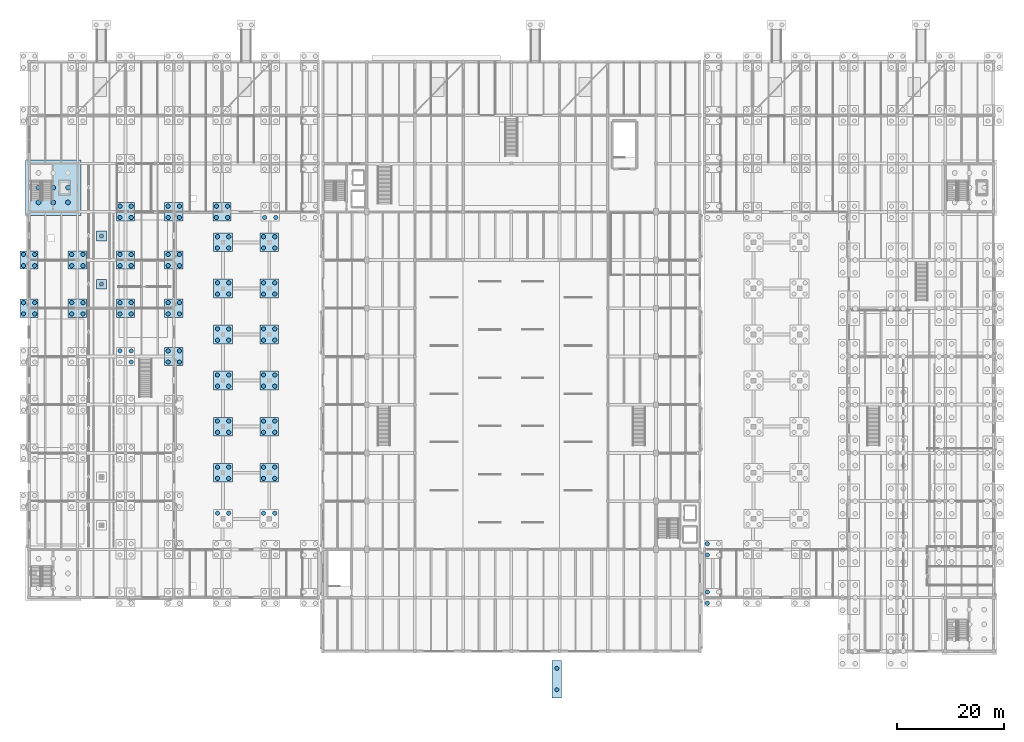
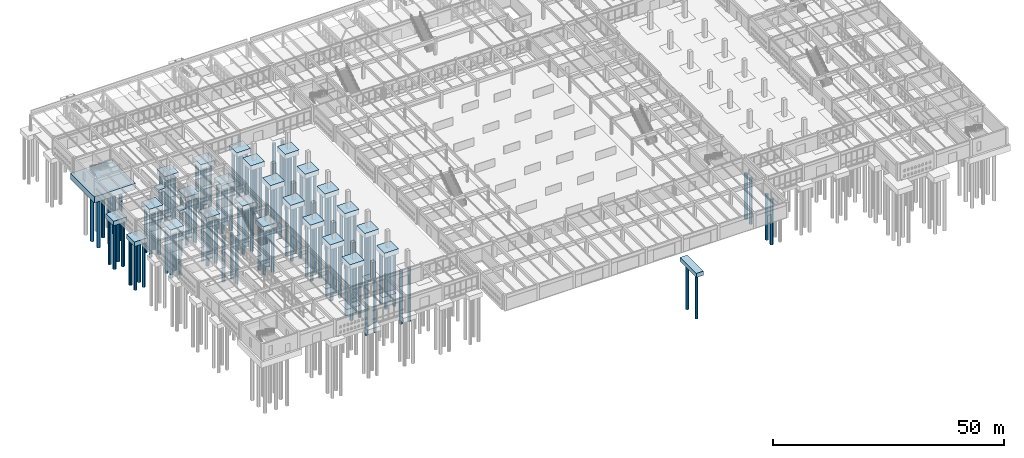
# One storey, part 2 of 186: 119 piles, 28 footings.
"""IFC4 building model written with IfcOpenShell, lengths in metres."""

from ifc_helpers import new_model, si_unit, direction, frame, origin, origin_2d, place, context, subcontext, project, spatial, polyline, circle, outline, extrude, material, layer, layer_set, material_profile, profile_set, type_object, element, save


model = new_model("IFC4")

# Units and contexts
model_context = context("Model", 3, precision=1e-05, world=origin(), true_north=direction((0.0, 1.0)))
body_context = subcontext(model_context, "Body", "Model", "MODEL_VIEW")
ifc_project = project(units=[si_unit("LENGTHUNIT", "METRE"), si_unit("AREAUNIT", "SQUARE_METRE"), si_unit("VOLUMEUNIT", "CUBIC_METRE"), si_unit("PLANEANGLEUNIT", "RADIAN"), si_unit("MASSUNIT", "GRAM", prefix="KILO")], contexts=[model_context])

# Site, building, storey
site_placement = place(None, origin())
site = spatial("IfcSite", under=ifc_project, at=site_placement, CompositionType="ELEMENT")
building_placement = place(site_placement, origin())
building = spatial("IfcBuilding", under=site, at=building_placement, Name="Ornek Quay Market", CompositionType="ELEMENT")
storey_placement = place(building_placement, origin())
storey = spatial("IfcBuildingStorey", under=building, at=storey_placement, Name="L00", CompositionType="ELEMENT", Elevation=0.0)

# Footings
ifc_material = material(Name="Concrete C35/45", Category="concrete")
ifc_layer_1 = layer(ifc_material, 1.60009765625, Name="Concrete C35/45", Category="concrete")
ifc_layer_set_1 = layer_set([ifc_layer_1], Name="Concrete C35/45")
footing_type_1 = type_object("IfcFootingType", Name="FT-CORE-7600x6600x1600", PredefinedType="PILE_CAP", material=ifc_layer_set_1)
footing_1_placement = place(storey_placement, frame((0.0, 0.0, -1.60009765625)))
element("IfcFooting", 1, at=footing_1_placement, inside=storey, type_object=footing_type_1, Name="Pile cap FC-001", PredefinedType="PILE_CAP", context=body_context, shape_type="SweptSolid", body=[
    extrude(outline(polyline([(-0.64990234375, 91.35009765625), (9.64990234375, 91.35009765625), (9.64990234375, 101.64990234375), (-0.64990234375, 101.64990234375), (-0.64990234375, 91.35009765625)])), origin(), (0.0, 0.0, 1.0), 1.60009765625),
])
ifc_layer_2 = layer(ifc_material, 0.75, Name="Concrete C35/45", Category="concrete")
ifc_layer_set_2 = layer_set([ifc_layer_2], Name="Concrete C35/45")
footing_type_2 = type_object("IfcFootingType", Name="FT-PAD-1800x1800x750", PredefinedType="PAD_FOOTING", material=ifc_layer_set_2)
footing_2_placement = place(storey_placement, frame((0.0, 0.0, -0.75)))
element("IfcFooting", 2, at=footing_2_placement, inside=storey, type_object=footing_type_2, Name="Pad footing PF-06", PredefinedType="PAD_FOOTING", context=body_context, shape_type="SweptSolid", body=[
    extrude(outline(polyline([(12.60009765625, 77.60009765625), (14.39990234375, 77.60009765625), (14.39990234375, 79.39990234375), (12.60009765625, 79.39990234375), (12.60009765625, 77.60009765625)])), origin(), (0.0, 0.0, 1.0), 0.75),
])
footing_3_placement = place(storey_placement, frame((0.0, 0.0, -0.75)))
element("IfcFooting", 3, at=footing_3_placement, inside=storey, type_object=footing_type_2, Name="Pad footing PF-08", PredefinedType="PAD_FOOTING", context=body_context, shape_type="SweptSolid", body=[
    extrude(outline(polyline([(12.60009765625, 86.60009765625), (14.39990234375, 86.60009765625), (14.39990234375, 88.39990234375), (12.60009765625, 88.39990234375), (12.60009765625, 86.60009765625)])), origin(), (0.0, 0.0, 1.0), 0.75),
])
ifc_layer_3 = layer(ifc_material, 1.10009765625, Name="Concrete C35/45", Category="concrete")
ifc_layer_set_3 = layer_set([ifc_layer_3], Name="Concrete C35/45")
footing_type_3 = type_object("IfcFootingType", Name="FT-PC2-1800x7000x1100", PredefinedType="PILE_CAP", material=ifc_layer_set_3)
footing_4_placement = place(storey_placement, frame((0.0, 0.0, -1.10009765625)))
element("IfcFooting", 4, at=footing_4_placement, inside=storey, type_object=footing_type_3, Name="Ramp abutment cap PRF-07", PredefinedType="PILE_CAP", context=body_context, shape_type="SweptSolid", body=[
    extrude(outline(polyline([(97.60009765625, 1.300048828125), (99.39990234375, 1.300048828125), (99.39990234375, 8.300048828125), (97.60009765625, 8.300048828125), (97.60009765625, 1.300048828125)])), origin(), (0.0, 0.0, 1.0), 1.10009765625),
])
ifc_layer_4 = layer(ifc_material, 1.199951171875, Name="Concrete C35/45", Category="concrete")
ifc_layer_set_4 = layer_set([ifc_layer_4], Name="Concrete C35/45")
footing_type_4 = type_object("IfcFootingType", Name="FT-PC4-2800x2800x1200", PredefinedType="PILE_CAP", material=ifc_layer_set_4)
footing_5_placement = place(storey_placement, frame((0.0, 0.0, -1.199951171875)))
element("IfcFooting", 5, at=footing_5_placement, inside=storey, type_object=footing_type_4, Name="Pile cap FC-011", PredefinedType="PILE_CAP", context=body_context, shape_type="SweptSolid", body=[
    extrude(outline(polyline([(-1.699951171875, 72.300048828125), (1.699951171875, 72.300048828125), (1.699951171875, 75.699951171875), (-1.699951171875, 75.699951171875), (-1.699951171875, 72.300048828125)])), origin(), (0.0, 0.0, 1.0), 1.199951171875),
])
footing_6_placement = place(storey_placement, frame((0.0, 0.0, -1.199951171875)))
element("IfcFooting", 6, at=footing_6_placement, inside=storey, type_object=footing_type_4, Name="Pile cap FC-012", PredefinedType="PILE_CAP", context=body_context, shape_type="SweptSolid", body=[
    extrude(outline(polyline([(-1.699951171875, 81.300048828125), (1.699951171875, 81.300048828125), (1.699951171875, 84.699951171875), (-1.699951171875, 84.699951171875), (-1.699951171875, 81.300048828125)])), origin(), (0.0, 0.0, 1.0), 1.199951171875),
])
footing_7_placement = place(storey_placement, frame((0.0, 0.0, -1.199951171875)))
element("IfcFooting", 7, at=footing_7_placement, inside=storey, type_object=footing_type_4, Name="Pile cap FC-019", PredefinedType="PILE_CAP", context=body_context, shape_type="SweptSolid", body=[
    extrude(outline(polyline([(7.300048828125, 72.300048828125), (10.699951171875, 72.300048828125), (10.699951171875, 75.699951171875), (7.300048828125, 75.699951171875), (7.300048828125, 72.300048828125)])), origin(), (0.0, 0.0, 1.0), 1.199951171875),
])
footing_8_placement = place(storey_placement, frame((0.0, 0.0, -1.199951171875)))
element("IfcFooting", 8, at=footing_8_placement, inside=storey, type_object=footing_type_4, Name="Pile cap FC-020", PredefinedType="PILE_CAP", context=body_context, shape_type="SweptSolid", body=[
    extrude(outline(polyline([(7.300048828125, 81.300048828125), (10.699951171875, 81.300048828125), (10.699951171875, 84.699951171875), (7.300048828125, 84.699951171875), (7.300048828125, 81.300048828125)])), origin(), (0.0, 0.0, 1.0), 1.199951171875),
])
footing_9_placement = place(storey_placement, frame((0.0, 0.0, -1.199951171875)))
element("IfcFooting", 9, at=footing_9_placement, inside=storey, type_object=footing_type_4, Name="Pile cap FC-029", PredefinedType="PILE_CAP", context=body_context, shape_type="SweptSolid", body=[
    extrude(outline(polyline([(16.300048828125, 72.300048828125), (19.699951171875, 72.300048828125), (19.699951171875, 75.699951171875), (16.300048828125, 75.699951171875), (16.300048828125, 72.300048828125)])), origin(), (0.0, 0.0, 1.0), 1.199951171875),
])
footing_10_placement = place(storey_placement, frame((0.0, 0.0, -1.199951171875)))
element("IfcFooting", 10, at=footing_10_placement, inside=storey, type_object=footing_type_4, Name="Pile cap FC-030", PredefinedType="PILE_CAP", context=body_context, shape_type="SweptSolid", body=[
    extrude(outline(polyline([(16.300048828125, 81.300048828125), (19.699951171875, 81.300048828125), (19.699951171875, 84.699951171875), (16.300048828125, 84.699951171875), (16.300048828125, 81.300048828125)])), origin(), (0.0, 0.0, 1.0), 1.199951171875),
])
footing_11_placement = place(storey_placement, frame((0.0, 0.0, -1.199951171875)))
element("IfcFooting", 11, at=footing_11_placement, inside=storey, type_object=footing_type_4, Name="Pile cap FC-031", PredefinedType="PILE_CAP", context=body_context, shape_type="SweptSolid", body=[
    extrude(outline(polyline([(16.300048828125, 90.300048828125), (19.699951171875, 90.300048828125), (19.699951171875, 93.699951171875), (16.300048828125, 93.699951171875), (16.300048828125, 90.300048828125)])), origin(), (0.0, 0.0, 1.0), 1.199951171875),
])
footing_12_placement = place(storey_placement, frame((0.0, 0.0, -1.199951171875)))
element("IfcFooting", 12, at=footing_12_placement, inside=storey, type_object=footing_type_4, Name="Pile cap FC-040", PredefinedType="PILE_CAP", context=body_context, shape_type="SweptSolid", body=[
    extrude(outline(polyline([(25.300048828125, 63.300048828125), (28.699951171875, 63.300048828125), (28.699951171875, 66.699951171875), (25.300048828125, 66.699951171875), (25.300048828125, 63.300048828125)])), origin(), (0.0, 0.0, 1.0), 1.199951171875),
])
footing_13_placement = place(storey_placement, frame((0.0, 0.0, -1.199951171875)))
element("IfcFooting", 13, at=footing_13_placement, inside=storey, type_object=footing_type_4, Name="Pile cap FC-041", PredefinedType="PILE_CAP", context=body_context, shape_type="SweptSolid", body=[
    extrude(outline(polyline([(25.300048828125, 72.300048828125), (28.699951171875, 72.300048828125), (28.699951171875, 75.699951171875), (25.300048828125, 75.699951171875), (25.300048828125, 72.300048828125)])), origin(), (0.0, 0.0, 1.0), 1.199951171875),
])
footing_14_placement = place(storey_placement, frame((0.0, 0.0, -1.199951171875)))
element("IfcFooting", 14, at=footing_14_placement, inside=storey, type_object=footing_type_4, Name="Pile cap FC-042", PredefinedType="PILE_CAP", context=body_context, shape_type="SweptSolid", body=[
    extrude(outline(polyline([(25.300048828125, 81.300048828125), (28.699951171875, 81.300048828125), (28.699951171875, 84.699951171875), (25.300048828125, 84.699951171875), (25.300048828125, 81.300048828125)])), origin(), (0.0, 0.0, 1.0), 1.199951171875),
])
footing_15_placement = place(storey_placement, frame((0.0, 0.0, -1.199951171875)))
element("IfcFooting", 15, at=footing_15_placement, inside=storey, type_object=footing_type_4, Name="Pile cap FC-043", PredefinedType="PILE_CAP", context=body_context, shape_type="SweptSolid", body=[
    extrude(outline(polyline([(25.300048828125, 90.300048828125), (28.699951171875, 90.300048828125), (28.699951171875, 93.699951171875), (25.300048828125, 93.699951171875), (25.300048828125, 90.300048828125)])), origin(), (0.0, 0.0, 1.0), 1.199951171875),
])
footing_16_placement = place(storey_placement, frame((0.0, 0.0, -1.199951171875)))
element("IfcFooting", 16, at=footing_16_placement, inside=storey, type_object=footing_type_4, Name="Pile cap FC-049", PredefinedType="PILE_CAP", context=body_context, shape_type="SweptSolid", body=[
    extrude(outline(polyline([(34.300048828125, 90.300048828125), (37.699951171875, 90.300048828125), (37.699951171875, 93.699951171875), (34.300048828125, 93.699951171875), (34.300048828125, 90.300048828125)])), origin(), (0.0, 0.0, 1.0), 1.199951171875),
])
ifc_layer_5 = layer(ifc_material, 1.300048828125, Name="Concrete C35/45", Category="concrete")
ifc_layer_set_5 = layer_set([ifc_layer_5], Name="Concrete C35/45")
footing_type_5 = type_object("IfcFootingType", Name="FT-PC4-3000x3000x1300", PredefinedType="PILE_CAP", material=ifc_layer_set_5)
footing_17_placement = place(storey_placement, frame((0.0, 0.0, -1.300048828125)))
element("IfcFooting", 17, at=footing_17_placement, inside=storey, type_object=footing_type_5, Name="Pile cap FC-237", PredefinedType="PILE_CAP", context=body_context, shape_type="SweptSolid", body=[
    extrude(outline(polyline([(34.449951171875, 41.550048828125), (37.949951171875, 41.550048828125), (37.949951171875, 45.050048828125), (34.449951171875, 45.050048828125), (34.449951171875, 41.550048828125)])), origin(), (0.0, 0.0, 1.0), 1.300048828125),
])
footing_18_placement = place(storey_placement, frame((0.0, 0.0, -1.300048828125)))
element("IfcFooting", 18, at=footing_18_placement, inside=storey, type_object=footing_type_5, Name="Pile cap FC-238", PredefinedType="PILE_CAP", context=body_context, shape_type="SweptSolid", body=[
    extrude(outline(polyline([(34.449951171875, 50.14990234375), (37.949951171875, 50.14990234375), (37.949951171875, 53.64990234375), (34.449951171875, 53.64990234375), (34.449951171875, 50.14990234375)])), origin(), (0.0, 0.0, 1.0), 1.300048828125),
])
footing_19_placement = place(storey_placement, frame((0.0, 0.0, -1.300048828125)))
element("IfcFooting", 19, at=footing_19_placement, inside=storey, type_object=footing_type_5, Name="Pile cap FC-239", PredefinedType="PILE_CAP", context=body_context, shape_type="SweptSolid", body=[
    extrude(outline(polyline([(34.449951171875, 58.75), (37.949951171875, 58.75), (37.949951171875, 62.25), (34.449951171875, 62.25), (34.449951171875, 58.75)])), origin(), (0.0, 0.0, 1.0), 1.300048828125),
])
footing_20_placement = place(storey_placement, frame((0.0, 0.0, -1.300048828125)))
element("IfcFooting", 20, at=footing_20_placement, inside=storey, type_object=footing_type_5, Name="Pile cap FC-240", PredefinedType="PILE_CAP", context=body_context, shape_type="SweptSolid", body=[
    extrude(outline(polyline([(34.449951171875, 67.35009765625), (37.949951171875, 67.35009765625), (37.949951171875, 70.85009765625), (34.449951171875, 70.85009765625), (34.449951171875, 67.35009765625)])), origin(), (0.0, 0.0, 1.0), 1.300048828125),
])
footing_21_placement = place(storey_placement, frame((0.0, 0.0, -1.300048828125)))
element("IfcFooting", 21, at=footing_21_placement, inside=storey, type_object=footing_type_5, Name="Pile cap FC-241", PredefinedType="PILE_CAP", context=body_context, shape_type="SweptSolid", body=[
    extrude(outline(polyline([(34.449951171875, 75.949951171875), (37.949951171875, 75.949951171875), (37.949951171875, 79.449951171875), (34.449951171875, 79.449951171875), (34.449951171875, 75.949951171875)])), origin(), (0.0, 0.0, 1.0), 1.300048828125),
])
footing_22_placement = place(storey_placement, frame((0.0, 0.0, -1.300048828125)))
element("IfcFooting", 22, at=footing_22_placement, inside=storey, type_object=footing_type_5, Name="Pile cap FC-242", PredefinedType="PILE_CAP", context=body_context, shape_type="SweptSolid", body=[
    extrude(outline(polyline([(34.449951171875, 84.550048828125), (37.949951171875, 84.550048828125), (37.949951171875, 88.050048828125), (34.449951171875, 88.050048828125), (34.449951171875, 84.550048828125)])), origin(), (0.0, 0.0, 1.0), 1.300048828125),
])
footing_23_placement = place(storey_placement, frame((0.0, 0.0, -1.300048828125)))
element("IfcFooting", 23, at=footing_23_placement, inside=storey, type_object=footing_type_5, Name="Pile cap FC-244", PredefinedType="PILE_CAP", context=body_context, shape_type="SweptSolid", body=[
    extrude(outline(polyline([(43.050048828125, 41.550048828125), (46.550048828125, 41.550048828125), (46.550048828125, 45.050048828125), (43.050048828125, 45.050048828125), (43.050048828125, 41.550048828125)])), origin(), (0.0, 0.0, 1.0), 1.300048828125),
])
footing_24_placement = place(storey_placement, frame((0.0, 0.0, -1.300048828125)))
element("IfcFooting", 24, at=footing_24_placement, inside=storey, type_object=footing_type_5, Name="Pile cap FC-245", PredefinedType="PILE_CAP", context=body_context, shape_type="SweptSolid", body=[
    extrude(outline(polyline([(43.050048828125, 50.14990234375), (46.550048828125, 50.14990234375), (46.550048828125, 53.64990234375), (43.050048828125, 53.64990234375), (43.050048828125, 50.14990234375)])), origin(), (0.0, 0.0, 1.0), 1.300048828125),
])
footing_25_placement = place(storey_placement, frame((0.0, 0.0, -1.300048828125)))
element("IfcFooting", 25, at=footing_25_placement, inside=storey, type_object=footing_type_5, Name="Pile cap FC-246", PredefinedType="PILE_CAP", context=body_context, shape_type="SweptSolid", body=[
    extrude(outline(polyline([(43.050048828125, 58.75), (46.550048828125, 58.75), (46.550048828125, 62.25), (43.050048828125, 62.25), (43.050048828125, 58.75)])), origin(), (0.0, 0.0, 1.0), 1.300048828125),
])
footing_26_placement = place(storey_placement, frame((0.0, 0.0, -1.300048828125)))
element("IfcFooting", 26, at=footing_26_placement, inside=storey, type_object=footing_type_5, Name="Pile cap FC-247", PredefinedType="PILE_CAP", context=body_context, shape_type="SweptSolid", body=[
    extrude(outline(polyline([(43.050048828125, 67.35009765625), (46.550048828125, 67.35009765625), (46.550048828125, 70.85009765625), (43.050048828125, 70.85009765625), (43.050048828125, 67.35009765625)])), origin(), (0.0, 0.0, 1.0), 1.300048828125),
])
footing_27_placement = place(storey_placement, frame((0.0, 0.0, -1.300048828125)))
element("IfcFooting", 27, at=footing_27_placement, inside=storey, type_object=footing_type_5, Name="Pile cap FC-248", PredefinedType="PILE_CAP", context=body_context, shape_type="SweptSolid", body=[
    extrude(outline(polyline([(43.050048828125, 75.949951171875), (46.550048828125, 75.949951171875), (46.550048828125, 79.449951171875), (43.050048828125, 79.449951171875), (43.050048828125, 75.949951171875)])), origin(), (0.0, 0.0, 1.0), 1.300048828125),
])
footing_28_placement = place(storey_placement, frame((0.0, 0.0, -1.300048828125)))
element("IfcFooting", 28, at=footing_28_placement, inside=storey, type_object=footing_type_5, Name="Pile cap FC-249", PredefinedType="PILE_CAP", context=body_context, shape_type="SweptSolid", body=[
    extrude(outline(polyline([(43.050048828125, 84.550048828125), (46.550048828125, 84.550048828125), (46.550048828125, 88.050048828125), (43.050048828125, 88.050048828125), (43.050048828125, 84.550048828125)])), origin(), (0.0, 0.0, 1.0), 1.300048828125),
])

# Piles
ifc_material_profile_1 = material_profile(ifc_material, circle(Radius=0.39990234375, at=origin_2d()), Name="PILE D800", Category="concrete")
ifc_profile_set_1 = profile_set([ifc_material_profile_1], Name="Concrete C35/45")
pile_type_1 = type_object("IfcPileType", Name="PL-BOR-D800-L12", PredefinedType="BORED", material=ifc_profile_set_1)
for number, where, z_axis, x_axis, name in (
    (29, (-1.050048828125, 72.949951171875, -1.10009765625), (0.0, 0.0, -1.0), (1.0, 0.0, 0.0), "Bored pile P-0071"),
    (30, (1.050048828125, 72.949951171875, -1.10009765625), (0.0, 0.0, -1.0), (1.0, 0.0, 0.0), "Bored pile P-0072"),
    (31, (-1.050048828125, 75.050048828125, -1.10009765625), (0.0, 0.0, -1.0), (1.0, 0.0, 0.0), "Bored pile P-0073"),
    (32, (1.050048828125, 75.050048828125, -1.10009765625), (0.0, 0.0, -1.0), (1.0, 0.0, 0.0), "Bored pile P-0074"),
    (33, (-1.050048828125, 81.949951171875, -1.10009765625), (0.0, 0.0, -1.0), (1.0, 0.0, 0.0), "Bored pile P-0075"),
    (34, (1.050048828125, 81.949951171875, -1.10009765625), (0.0, 0.0, -1.0), (1.0, 0.0, 0.0), "Bored pile P-0076"),
    (35, (-1.050048828125, 84.050048828125, -1.10009765625), (0.0, 0.0, -1.0), (1.0, 0.0, 0.0), "Bored pile P-0077"),
    (36, (1.050048828125, 84.050048828125, -1.10009765625), (0.0, 0.0, -1.0), (1.0, 0.0, 0.0), "Bored pile P-0078"),
    (37, (7.949951171875, 72.949951171875, -1.10009765625), (0.0, 0.0, -1.0), (1.0, 0.0, 0.0), "Bored pile P-0103"),
    (38, (10.050048828125, 72.949951171875, -1.10009765625), (0.0, 0.0, -1.0), (1.0, 0.0, 0.0), "Bored pile P-0104"),
    (39, (7.949951171875, 75.050048828125, -1.10009765625), (0.0, 0.0, -1.0), (1.0, 0.0, 0.0), "Bored pile P-0105"),
    (40, (10.050048828125, 75.050048828125, -1.10009765625), (0.0, 0.0, -1.0), (1.0, 0.0, 0.0), "Bored pile P-0106"),
    (41, (7.949951171875, 81.949951171875, -1.10009765625), (0.0, 0.0, -1.0), (1.0, 0.0, 0.0), "Bored pile P-0107"),
    (42, (10.050048828125, 81.949951171875, -1.10009765625), (0.0, 0.0, -1.0), (1.0, 0.0, 0.0), "Bored pile P-0108"),
    (43, (7.949951171875, 84.050048828125, -1.10009765625), (0.0, 0.0, -1.0), (1.0, 0.0, 0.0), "Bored pile P-0109"),
    (44, (10.050048828125, 84.050048828125, -1.10009765625), (0.0, 0.0, -1.0), (1.0, 0.0, 0.0), "Bored pile P-0110"),
    (45, (19.050048828125, 63.949951171875, -1.10009765625), (0.0, 0.0, -1.0), (1.0, 0.0, 0.0), "Bored pile P-0140"),
    (46, (16.949951171875, 66.050048828125, -1.10009765625), (0.0, 0.0, -1.0), (1.0, 0.0, 0.0), "Bored pile P-0141"),
    (47, (19.050048828125, 66.050048828125, -1.10009765625), (0.0, 0.0, -1.0), (1.0, 0.0, 0.0), "Bored pile P-0142"),
    (48, (16.949951171875, 72.949951171875, -1.10009765625), (0.0, 0.0, -1.0), (1.0, 0.0, 0.0), "Bored pile P-0143"),
    (49, (19.050048828125, 72.949951171875, -1.10009765625), (0.0, 0.0, -1.0), (1.0, 0.0, 0.0), "Bored pile P-0144"),
    (50, (16.949951171875, 75.050048828125, -1.10009765625), (0.0, 0.0, -1.0), (1.0, 0.0, 0.0), "Bored pile P-0145"),
    (51, (19.050048828125, 75.050048828125, -1.10009765625), (0.0, 0.0, -1.0), (1.0, 0.0, 0.0), "Bored pile P-0146"),
    (52, (16.949951171875, 81.949951171875, -1.10009765625), (0.0, 0.0, -1.0), (1.0, 0.0, 0.0), "Bored pile P-0147"),
    (53, (19.050048828125, 81.949951171875, -1.10009765625), (0.0, 0.0, -1.0), (1.0, 0.0, 0.0), "Bored pile P-0148"),
    (54, (16.949951171875, 84.050048828125, -1.10009765625), (0.0, 0.0, -1.0), (1.0, 0.0, 0.0), "Bored pile P-0149"),
    (55, (19.050048828125, 84.050048828125, -1.10009765625), (0.0, 0.0, -1.0), (1.0, 0.0, 0.0), "Bored pile P-0150"),
    (56, (16.949951171875, 90.949951171875, -1.10009765625), (0.0, 0.0, -1.0), (1.0, 0.0, 0.0), "Bored pile P-0151"),
    (57, (19.050048828125, 90.949951171875, -1.10009765625), (0.0, 0.0, -1.0), (1.0, 0.0, 0.0), "Bored pile P-0152"),
    (58, (16.949951171875, 93.050048828125, -1.10009765625), (0.0, 0.0, -1.0), (1.0, 0.0, 0.0), "Bored pile P-0153"),
    (59, (19.050048828125, 93.050048828125, -1.10009765625), (0.0, 0.0, -1.0), (1.0, 0.0, 0.0), "Bored pile P-0154"),
    (60, (25.949951171875, 63.949951171875, -1.10009765625), (0.0, 0.0, -1.0), (1.0, 0.0, 0.0), "Bored pile P-0187"),
    (61, (28.050048828125, 63.949951171875, -1.10009765625), (0.0, 0.0, -1.0), (1.0, 0.0, 0.0), "Bored pile P-0188"),
    (62, (25.949951171875, 66.050048828125, -1.10009765625), (0.0, 0.0, -1.0), (1.0, 0.0, 0.0), "Bored pile P-0189"),
    (63, (28.050048828125, 66.050048828125, -1.10009765625), (0.0, 0.0, -1.0), (1.0, 0.0, 0.0), "Bored pile P-0190"),
    (64, (25.949951171875, 72.949951171875, -1.10009765625), (0.0, 0.0, -1.0), (1.0, 0.0, 0.0), "Bored pile P-0191"),
    (65, (28.050048828125, 72.949951171875, -1.10009765625), (0.0, 0.0, -1.0), (1.0, 0.0, 0.0), "Bored pile P-0192"),
    (66, (25.949951171875, 75.050048828125, -1.10009765625), (0.0, 0.0, -1.0), (1.0, 0.0, 0.0), "Bored pile P-0193"),
    (67, (28.050048828125, 75.050048828125, -1.10009765625), (0.0, 0.0, -1.0), (1.0, 0.0, 0.0), "Bored pile P-0194"),
    (68, (25.949951171875, 81.949951171875, -1.10009765625), (0.0, 0.0, -1.0), (1.0, 0.0, 0.0), "Bored pile P-0195"),
    (69, (28.050048828125, 81.949951171875, -1.10009765625), (0.0, 0.0, -1.0), (1.0, 0.0, 0.0), "Bored pile P-0196"),
    (70, (25.949951171875, 84.050048828125, -1.10009765625), (0.0, 0.0, -1.0), (1.0, 0.0, 0.0), "Bored pile P-0197"),
    (71, (28.050048828125, 84.050048828125, -1.10009765625), (0.0, 0.0, -1.0), (1.0, 0.0, 0.0), "Bored pile P-0198"),
    (72, (25.949951171875, 90.949951171875, -1.10009765625), (0.0, 0.0, -1.0), (1.0, 0.0, 0.0), "Bored pile P-0199"),
    (73, (28.050048828125, 90.949951171875, -1.10009765625), (0.0, 0.0, -1.0), (1.0, 0.0, 0.0), "Bored pile P-0200"),
    (74, (25.949951171875, 93.050048828125, -1.10009765625), (0.0, 0.0, -1.0), (1.0, 0.0, 0.0), "Bored pile P-0201"),
    (75, (28.050048828125, 93.050048828125, -1.10009765625), (0.0, 0.0, -1.0), (1.0, 0.0, 0.0), "Bored pile P-0202"),
    (76, (34.949951171875, 90.949951171875, -1.10009765625), (0.0, 0.0, -1.0), (1.0, 0.0, 0.0), "Bored pile P-0223"),
    (77, (37.050048828125, 90.949951171875, -1.10009765625), (0.0, 0.0, -1.0), (1.0, 0.0, 0.0), "Bored pile P-0224"),
    (78, (34.949951171875, 93.050048828125, -1.10009765625), (0.0, 0.0, -1.0), (1.0, 0.0, 0.0), "Bored pile P-0225"),
    (79, (37.050048828125, 93.050048828125, -1.10009765625), (0.0, 0.0, -1.0), (1.0, 0.0, 0.0), "Bored pile P-0226"),
    (80, (43.949951171875, 90.949951171875, -1.10009765625), (0.0, 0.0, -1.0), (1.0, 0.0, 0.0), "Bored pile P-0247"),
    (81, (46.050048828125, 90.949951171875, -1.10009765625), (0.0, 0.0, -1.0), (1.0, 0.0, 0.0), "Bored pile P-0248"),
    (82, (126.570068359375, 18.949951171875, -1.10009765625), (0.0, 0.0, -1.0), (1.0, 0.0, 0.0), "Bored pile P-0763"),
    (83, (126.570068359375, 21.050048828125, -1.10009765625), (0.0, 0.0, -1.0), (1.0, 0.0, 0.0), "Bored pile P-0765"),
    (84, (126.570068359375, 27.949951171875, -1.10009765625), (0.0, 0.0, -1.0), (1.0, 0.0, 0.0), "Bored pile P-0767"),
    (85, (126.570068359375, 30.050048828125, -1.10009765625), (0.0, 0.0, -1.0), (1.0, 0.0, 0.0), "Bored pile P-0769"),
):
    element("IfcPile", number, at=place(storey_placement, frame(where, z_axis=z_axis, x_axis=x_axis)), inside=storey, type_object=pile_type_1, Name=name, PredefinedType="BORED", context=body_context, shape_type="SweptSolid", body=[
        extrude(circle(Radius=0.39990234375, at=origin_2d()), origin(), (0.0, 0.0, 1.0), 12.0),
    ])
ifc_material_profile_2 = material_profile(ifc_material, circle(Radius=0.39990234375, at=origin_2d()), Name="PILE D800", Category="concrete")
ifc_profile_set_2 = profile_set([ifc_material_profile_2], Name="Concrete C35/45")
pile_type_2 = type_object("IfcPileType", Name="PL-BOR-D800-L14", PredefinedType="BORED", material=ifc_profile_set_2)
for number, where, z_axis, x_axis, name in (
    (86, (35.14990234375, 35.75, -1.199951171875), (0.0, 0.0, -1.0), (1.0, 0.0, 0.0), "Bored pile P-1077"),
    (87, (37.25, 35.75, -1.199951171875), (0.0, 0.0, -1.0), (1.0, 0.0, 0.0), "Bored pile P-1078"),
    (88, (35.14990234375, 42.25, -1.199951171875), (0.0, 0.0, -1.0), (1.0, 0.0, 0.0), "Bored pile P-1079"),
    (89, (37.25, 42.25, -1.199951171875), (0.0, 0.0, -1.0), (1.0, 0.0, 0.0), "Bored pile P-1080"),
    (90, (35.14990234375, 44.35009765625, -1.199951171875), (0.0, 0.0, -1.0), (1.0, 0.0, 0.0), "Bored pile P-1081"),
    (91, (37.25, 44.35009765625, -1.199951171875), (0.0, 0.0, -1.0), (1.0, 0.0, 0.0), "Bored pile P-1082"),
    (92, (35.14990234375, 50.85009765625, -1.199951171875), (0.0, 0.0, -1.0), (1.0, 0.0, 0.0), "Bored pile P-1083"),
    (93, (37.25, 50.85009765625, -1.199951171875), (0.0, 0.0, -1.0), (1.0, 0.0, 0.0), "Bored pile P-1084"),
    (94, (35.14990234375, 52.949951171875, -1.199951171875), (0.0, 0.0, -1.0), (1.0, 0.0, 0.0), "Bored pile P-1085"),
    (95, (37.25, 52.949951171875, -1.199951171875), (0.0, 0.0, -1.0), (1.0, 0.0, 0.0), "Bored pile P-1086"),
    (96, (35.14990234375, 59.449951171875, -1.199951171875), (0.0, 0.0, -1.0), (1.0, 0.0, 0.0), "Bored pile P-1087"),
    (97, (37.25, 59.449951171875, -1.199951171875), (0.0, 0.0, -1.0), (1.0, 0.0, 0.0), "Bored pile P-1088"),
    (98, (35.14990234375, 61.550048828125, -1.199951171875), (0.0, 0.0, -1.0), (1.0, 0.0, 0.0), "Bored pile P-1089"),
    (99, (37.25, 61.550048828125, -1.199951171875), (0.0, 0.0, -1.0), (1.0, 0.0, 0.0), "Bored pile P-1090"),
    (100, (35.14990234375, 68.050048828125, -1.199951171875), (0.0, 0.0, -1.0), (1.0, 0.0, 0.0), "Bored pile P-1091"),
    (101, (37.25, 68.050048828125, -1.199951171875), (0.0, 0.0, -1.0), (1.0, 0.0, 0.0), "Bored pile P-1092"),
    (102, (35.14990234375, 70.14990234375, -1.199951171875), (0.0, 0.0, -1.0), (1.0, 0.0, 0.0), "Bored pile P-1093"),
    (103, (37.25, 70.14990234375, -1.199951171875), (0.0, 0.0, -1.0), (1.0, 0.0, 0.0), "Bored pile P-1094"),
    (104, (35.14990234375, 76.64990234375, -1.199951171875), (0.0, 0.0, -1.0), (1.0, 0.0, 0.0), "Bored pile P-1095"),
    (105, (37.25, 76.64990234375, -1.199951171875), (0.0, 0.0, -1.0), (1.0, 0.0, 0.0), "Bored pile P-1096"),
    (106, (35.14990234375, 78.75, -1.199951171875), (0.0, 0.0, -1.0), (1.0, 0.0, 0.0), "Bored pile P-1097"),
    (107, (37.25, 78.75, -1.199951171875), (0.0, 0.0, -1.0), (1.0, 0.0, 0.0), "Bored pile P-1098"),
    (108, (35.14990234375, 85.25, -1.199951171875), (0.0, 0.0, -1.0), (1.0, 0.0, 0.0), "Bored pile P-1099"),
    (109, (37.25, 85.25, -1.199951171875), (0.0, 0.0, -1.0), (1.0, 0.0, 0.0), "Bored pile P-1100"),
    (110, (35.14990234375, 87.35009765625, -1.199951171875), (0.0, 0.0, -1.0), (1.0, 0.0, 0.0), "Bored pile P-1101"),
    (111, (37.25, 87.35009765625, -1.199951171875), (0.0, 0.0, -1.0), (1.0, 0.0, 0.0), "Bored pile P-1102"),
    (112, (43.75, 35.75, -1.199951171875), (0.0, 0.0, -1.0), (1.0, 0.0, 0.0), "Bored pile P-1105"),
    (113, (45.85009765625, 35.75, -1.199951171875), (0.0, 0.0, -1.0), (1.0, 0.0, 0.0), "Bored pile P-1106"),
    (114, (43.75, 42.25, -1.199951171875), (0.0, 0.0, -1.0), (1.0, 0.0, 0.0), "Bored pile P-1107"),
    (115, (45.85009765625, 42.25, -1.199951171875), (0.0, 0.0, -1.0), (1.0, 0.0, 0.0), "Bored pile P-1108"),
    (116, (43.75, 44.35009765625, -1.199951171875), (0.0, 0.0, -1.0), (1.0, 0.0, 0.0), "Bored pile P-1109"),
    (117, (45.85009765625, 44.35009765625, -1.199951171875), (0.0, 0.0, -1.0), (1.0, 0.0, 0.0), "Bored pile P-1110"),
    (118, (43.75, 50.85009765625, -1.199951171875), (0.0, 0.0, -1.0), (1.0, 0.0, 0.0), "Bored pile P-1111"),
    (119, (45.85009765625, 50.85009765625, -1.199951171875), (0.0, 0.0, -1.0), (1.0, 0.0, 0.0), "Bored pile P-1112"),
    (120, (43.75, 52.949951171875, -1.199951171875), (0.0, 0.0, -1.0), (1.0, 0.0, 0.0), "Bored pile P-1113"),
    (121, (45.85009765625, 52.949951171875, -1.199951171875), (0.0, 0.0, -1.0), (1.0, 0.0, 0.0), "Bored pile P-1114"),
    (122, (43.75, 59.449951171875, -1.199951171875), (0.0, 0.0, -1.0), (1.0, 0.0, 0.0), "Bored pile P-1115"),
    (123, (45.85009765625, 59.449951171875, -1.199951171875), (0.0, 0.0, -1.0), (1.0, 0.0, 0.0), "Bored pile P-1116"),
    (124, (43.75, 61.550048828125, -1.199951171875), (0.0, 0.0, -1.0), (1.0, 0.0, 0.0), "Bored pile P-1117"),
    (125, (45.85009765625, 61.550048828125, -1.199951171875), (0.0, 0.0, -1.0), (1.0, 0.0, 0.0), "Bored pile P-1118"),
    (126, (43.75, 68.050048828125, -1.199951171875), (0.0, 0.0, -1.0), (1.0, 0.0, 0.0), "Bored pile P-1119"),
    (127, (45.85009765625, 68.050048828125, -1.199951171875), (0.0, 0.0, -1.0), (1.0, 0.0, 0.0), "Bored pile P-1120"),
    (128, (43.75, 70.14990234375, -1.199951171875), (0.0, 0.0, -1.0), (1.0, 0.0, 0.0), "Bored pile P-1121"),
    (129, (45.85009765625, 70.14990234375, -1.199951171875), (0.0, 0.0, -1.0), (1.0, 0.0, 0.0), "Bored pile P-1122"),
    (130, (43.75, 76.64990234375, -1.199951171875), (0.0, 0.0, -1.0), (1.0, 0.0, 0.0), "Bored pile P-1123"),
    (131, (45.85009765625, 76.64990234375, -1.199951171875), (0.0, 0.0, -1.0), (1.0, 0.0, 0.0), "Bored pile P-1124"),
    (132, (43.75, 78.75, -1.199951171875), (0.0, 0.0, -1.0), (1.0, 0.0, 0.0), "Bored pile P-1125"),
    (133, (45.85009765625, 78.75, -1.199951171875), (0.0, 0.0, -1.0), (1.0, 0.0, 0.0), "Bored pile P-1126"),
    (134, (43.75, 85.25, -1.199951171875), (0.0, 0.0, -1.0), (1.0, 0.0, 0.0), "Bored pile P-1127"),
    (135, (45.85009765625, 85.25, -1.199951171875), (0.0, 0.0, -1.0), (1.0, 0.0, 0.0), "Bored pile P-1128"),
    (136, (43.75, 87.35009765625, -1.199951171875), (0.0, 0.0, -1.0), (1.0, 0.0, 0.0), "Bored pile P-1129"),
    (137, (45.85009765625, 87.35009765625, -1.199951171875), (0.0, 0.0, -1.0), (1.0, 0.0, 0.0), "Bored pile P-1130"),
):
    element("IfcPile", number, at=place(storey_placement, frame(where, z_axis=z_axis, x_axis=x_axis)), inside=storey, type_object=pile_type_2, Name=name, PredefinedType="BORED", context=body_context, shape_type="SweptSolid", body=[
        extrude(circle(Radius=0.39990234375, at=origin_2d()), origin(), (0.0, 0.0, 1.0), 14.0),
    ])
ifc_material_profile_3 = material_profile(ifc_material, circle(Radius=0.449951171875, at=origin_2d()), Name="PILE D900", Category="concrete")
ifc_profile_set_3 = profile_set([ifc_material_profile_3], Name="Concrete C35/45")
pile_type_3 = type_object("IfcPileType", Name="PL-BOR-D900-L14", PredefinedType="BORED", material=ifc_profile_set_3)
for number, where, z_axis, x_axis, name in (
    (138, (1.75, 93.75, -1.5), (0.0, 0.0, -1.0), (1.0, 0.0, 0.0), "Bored pile P-0001"),
    (139, (1.75, 96.5, -1.5), (0.0, 0.0, -1.0), (1.0, 0.0, 0.0), "Bored pile P-0002"),
    (140, (4.5, 93.75, -1.5), (0.0, 0.0, -1.0), (1.0, 0.0, 0.0), "Bored pile P-0004"),
    (141, (4.5, 96.5, -1.5), (0.0, 0.0, -1.0), (1.0, 0.0, 0.0), "Bored pile P-0005"),
    (142, (7.25, 93.75, -1.5), (0.0, 0.0, -1.0), (1.0, 0.0, 0.0), "Bored pile P-0007"),
    (143, (7.25, 96.5, -1.5), (0.0, 0.0, -1.0), (1.0, 0.0, 0.0), "Bored pile P-0008"),
):
    element("IfcPile", number, at=place(storey_placement, frame(where, z_axis=z_axis, x_axis=x_axis)), inside=storey, type_object=pile_type_3, Name=name, PredefinedType="BORED", context=body_context, shape_type="SweptSolid", body=[
        extrude(circle(Radius=0.449951171875, at=origin_2d()), origin(), (0.0, 0.0, 1.0), 14.0),
    ])
ifc_material_profile_4 = material_profile(ifc_material, circle(Radius=0.375, at=origin_2d()), Name="PILE D750", Category="concrete")
ifc_profile_set_4 = profile_set([ifc_material_profile_4], Name="Concrete C35/45")
pile_type_4 = type_object("IfcPileType", Name="PL-SUP-D750-L12", PredefinedType="SUPPORT", material=ifc_profile_set_4)
for number, where, z_axis, x_axis, name in (
    (144, (98.5, 2.800048828125, -1.0), (0.0, 0.0, -1.0), (1.0, 0.0, 0.0), "Bored pile P-1199"),
    (145, (98.5, 6.800048828125, -1.0), (0.0, 0.0, -1.0), (1.0, 0.0, 0.0), "Bored pile P-1200"),
    (146, (13.5, 78.5, -0.64990234375), (0.0, 0.0, -1.0), (1.0, 0.0, 0.0), "Bored pile P-1206"),
    (147, (13.5, 87.5, -0.64990234375), (0.0, 0.0, -1.0), (1.0, 0.0, 0.0), "Bored pile P-1208"),
):
    element("IfcPile", number, at=place(storey_placement, frame(where, z_axis=z_axis, x_axis=x_axis)), inside=storey, type_object=pile_type_4, Name=name, PredefinedType="SUPPORT", context=body_context, shape_type="SweptSolid", body=[
        extrude(circle(Radius=0.375, at=origin_2d()), origin(), (0.0, 0.0, 1.0), 12.0),
    ])

save(model, "model.ifc")
